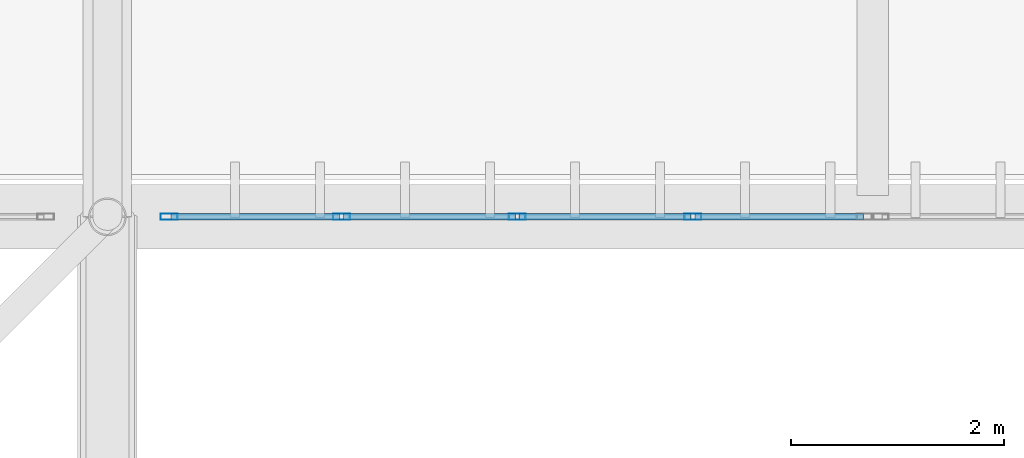
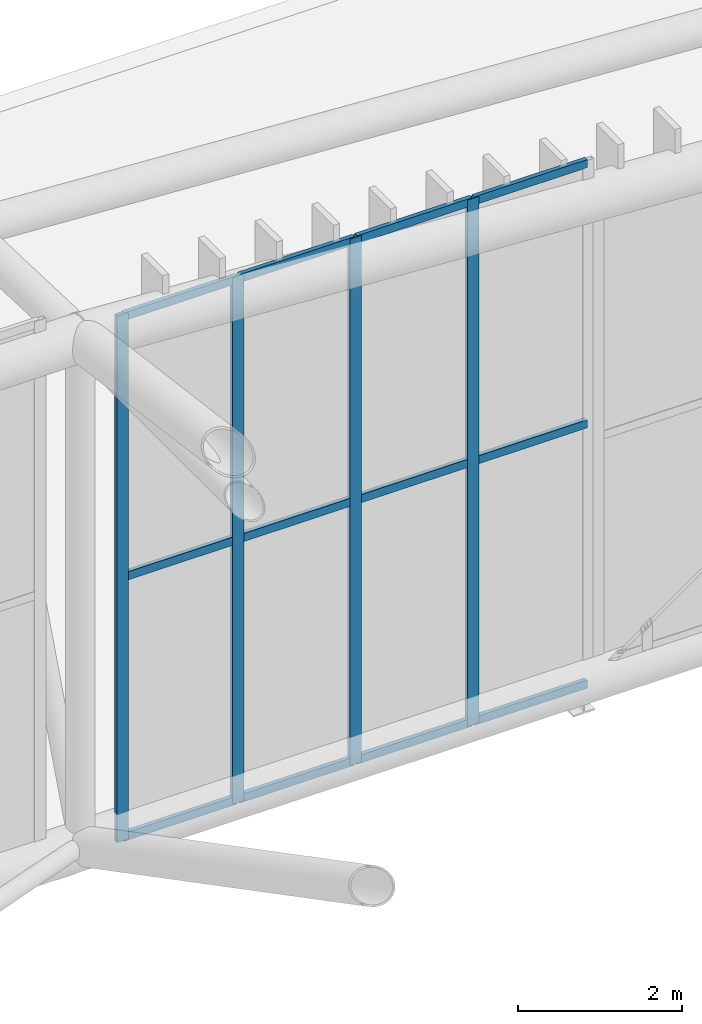
# One storey, part 325 of 397: 16 members, 1 element without a shape of its own.
"""IFC4 building model written with IfcOpenShell, lengths in metres."""

from ifc_helpers import new_model, si_unit, direction, frame, origin, origin_2d, place, context, subcontext, project, spatial, hollow_rectangle, extrude, material, material_profile, profile_set, type_object, element, aggregate, save


model = new_model("IFC4")

# Units and contexts
model_context = context("Model", 3, precision=1e-05, world=origin(), true_north=direction((0.0, 1.0)))
body_context = subcontext(model_context, "Body", "Model", "MODEL_VIEW")
ifc_project = project(units=[si_unit("LENGTHUNIT", "METRE"), si_unit("AREAUNIT", "SQUARE_METRE"), si_unit("VOLUMEUNIT", "CUBIC_METRE"), si_unit("PLANEANGLEUNIT", "RADIAN"), si_unit("MASSUNIT", "GRAM", prefix="KILO")], contexts=[model_context])

# Site, building, storey
site_placement = place(None, origin())
site = spatial("IfcSite", under=ifc_project, at=site_placement, CompositionType="ELEMENT")
building_placement = place(site_placement, origin())
building = spatial("IfcBuilding", under=site, at=building_placement, Name="Qandorah Velis Arena", CompositionType="ELEMENT")
storey_placement = place(building_placement, frame((0.0, 0.0, 27.5)))
storey = spatial("IfcBuildingStorey", under=building, at=storey_placement, Name="RF", CompositionType="ELEMENT", Elevation=27.5)

# Curtain wall, members
ifc_material_1 = material(Name="Solar-control low-E double glazing", Category="glass")
curtain_wall_type = type_object("IfcCurtainWallType", Name="ARC-CW-SYS05", PredefinedType="USERDEFINED", material=ifc_material_1)
curtain_wall_placement = place(storey_placement, origin())
curtain_wall = element("IfcCurtainWall", 1, at=curtain_wall_placement, inside=storey, type_object=curtain_wall_type, Name="Unitised curtain wall CROWN-4-05S1", ObjectType="UNITISED CURTAIN WALL", PredefinedType="USERDEFINED")
ifc_material_2 = material(Name="Champagne-bronze anodized aluminium 6063-T6", Category="aluminium")
ifc_material_profile_1 = material_profile(ifc_material_2, hollow_rectangle(XDim=0.06005859375, YDim=0.159912109375, WallThickness=0.00341796875, at=origin_2d()), Name="ALU MULLION 60x160")
ifc_profile_set_1 = profile_set([ifc_material_profile_1], Name="Champagne-bronze anodized aluminium 6063-T6")
member_type_1 = type_object("IfcMemberType", Name="ARC-CWM-160", PredefinedType="MULLION", material=ifc_profile_set_1)
member_1_placement = place(storey_placement, frame((72.580078125, 115.199951171875, -0.014892578125), z_axis=(0.0, 0.0, 1.0), x_axis=(0.0, 1.0, 0.0)))
member_1 = element("IfcMember", 2, at=member_1_placement, type_object=member_type_1, Name="CW05 mullion 1", PredefinedType="MULLION", context=body_context, shape_type="SweptSolid", body=[
    extrude(hollow_rectangle(XDim=0.06005859375, YDim=0.159912109375, WallThickness=0.00341796875, at=origin_2d()), origin(), (0.0, 0.0, 1.0), 7.826416015625),
])
member_2_placement = place(storey_placement, frame((74.202392578125, 115.199951171875, -0.014892578125), z_axis=(0.0, 0.0, 1.0), x_axis=(0.0, 1.0, 0.0)))
member_2 = element("IfcMember", 3, at=member_2_placement, type_object=member_type_1, Name="CW05 mullion 2", PredefinedType="MULLION", context=body_context, shape_type="SweptSolid", body=[
    extrude(hollow_rectangle(XDim=0.06005859375, YDim=0.159912109375, WallThickness=0.00341796875, at=origin_2d()), origin(), (0.0, 0.0, 1.0), 7.826416015625),
])
member_3_placement = place(storey_placement, frame((75.85498046875, 115.199951171875, -0.014892578125), z_axis=(0.0, 0.0, 1.0), x_axis=(0.0, 1.0, 0.0)))
member_3 = element("IfcMember", 4, at=member_3_placement, type_object=member_type_1, Name="CW05 mullion 3", PredefinedType="MULLION", context=body_context, shape_type="SweptSolid", body=[
    extrude(hollow_rectangle(XDim=0.06005859375, YDim=0.159912109375, WallThickness=0.00341796875, at=origin_2d()), origin(), (0.0, 0.0, 1.0), 7.826416015625),
])
member_4_placement = place(storey_placement, frame((77.507568359375, 115.199951171875, -0.014892578125), z_axis=(0.0, 0.0, 1.0), x_axis=(0.0, 1.0, 0.0)))
member_4 = element("IfcMember", 5, at=member_4_placement, type_object=member_type_1, Name="CW05 mullion 4", PredefinedType="MULLION", context=body_context, shape_type="SweptSolid", body=[
    extrude(hollow_rectangle(XDim=0.06005859375, YDim=0.159912109375, WallThickness=0.00341796875, at=origin_2d()), origin(), (0.0, 0.0, 1.0), 7.826416015625),
])
ifc_material_profile_2 = material_profile(ifc_material_2, hollow_rectangle(XDim=0.06005859375, YDim=0.1201171875, WallThickness=0.0029296875, at=origin_2d()), Name="ALU TRANSOM 60x120")
ifc_profile_set_2 = profile_set([ifc_material_profile_2], Name="Champagne-bronze anodized aluminium 6063-T6")
member_type_2 = type_object("IfcMemberType", Name="ARC-CWT-120", PredefinedType="USERDEFINED", material=ifc_profile_set_2)
member_5_placement = place(storey_placement, frame((72.597900390625, 115.199951171875, 0.030029296875), z_axis=(1.0, 0.0, 0.0), x_axis=(0.0, 1.0, 0.0)))
member_5 = element("IfcMember", 6, at=member_5_placement, type_object=member_type_2, Name="CW05 transom 1.1", ObjectType="TRANSOM", PredefinedType="USERDEFINED", context=body_context, shape_type="SweptSolid", body=[
    extrude(hollow_rectangle(XDim=0.06005859375, YDim=0.1201171875, WallThickness=0.0029296875, at=origin_2d()), origin(), (0.0, 0.0, 1.0), 1.586669921875),
])
member_6_placement = place(storey_placement, frame((72.597900390625, 115.199951171875, 3.898193359375), z_axis=(1.0, 0.0, 0.0), x_axis=(0.0, 1.0, 0.0)))
member_6 = element("IfcMember", 7, at=member_6_placement, type_object=member_type_2, Name="CW05 transom 1.2", ObjectType="TRANSOM", PredefinedType="USERDEFINED", context=body_context, shape_type="SweptSolid", body=[
    extrude(hollow_rectangle(XDim=0.06005859375, YDim=0.1201171875, WallThickness=0.0029296875, at=origin_2d()), origin(), (0.0, 0.0, 1.0), 1.586669921875),
])
member_7_placement = place(storey_placement, frame((72.597900390625, 115.199951171875, 7.7666015625), z_axis=(1.0, 0.0, 0.0), x_axis=(0.0, 1.0, 0.0)))
member_7 = element("IfcMember", 8, at=member_7_placement, type_object=member_type_2, Name="CW05 transom 1.3", ObjectType="TRANSOM", PredefinedType="USERDEFINED", context=body_context, shape_type="SweptSolid", body=[
    extrude(hollow_rectangle(XDim=0.06005859375, YDim=0.1201171875, WallThickness=0.0029296875, at=origin_2d()), origin(), (0.0, 0.0, 1.0), 1.586669921875),
])
member_8_placement = place(storey_placement, frame((74.220458984375, 115.199951171875, 0.030029296875), z_axis=(1.0, 0.0, 0.0), x_axis=(0.0, 1.0, 0.0)))
member_8 = element("IfcMember", 9, at=member_8_placement, type_object=member_type_2, Name="CW05 transom 2.1", ObjectType="TRANSOM", PredefinedType="USERDEFINED", context=body_context, shape_type="SweptSolid", body=[
    extrude(hollow_rectangle(XDim=0.06005859375, YDim=0.1201171875, WallThickness=0.0029296875, at=origin_2d()), origin(), (0.0, 0.0, 1.0), 1.616455078125),
])
member_9_placement = place(storey_placement, frame((74.220458984375, 115.199951171875, 3.898193359375), z_axis=(1.0, 0.0, 0.0), x_axis=(0.0, 1.0, 0.0)))
member_9 = element("IfcMember", 10, at=member_9_placement, type_object=member_type_2, Name="CW05 transom 2.2", ObjectType="TRANSOM", PredefinedType="USERDEFINED", context=body_context, shape_type="SweptSolid", body=[
    extrude(hollow_rectangle(XDim=0.06005859375, YDim=0.1201171875, WallThickness=0.0029296875, at=origin_2d()), origin(), (0.0, 0.0, 1.0), 1.616455078125),
])
member_10_placement = place(storey_placement, frame((74.220458984375, 115.199951171875, 7.7666015625), z_axis=(1.0, 0.0, 0.0), x_axis=(0.0, 1.0, 0.0)))
member_10 = element("IfcMember", 11, at=member_10_placement, type_object=member_type_2, Name="CW05 transom 2.3", ObjectType="TRANSOM", PredefinedType="USERDEFINED", context=body_context, shape_type="SweptSolid", body=[
    extrude(hollow_rectangle(XDim=0.06005859375, YDim=0.1201171875, WallThickness=0.0029296875, at=origin_2d()), origin(), (0.0, 0.0, 1.0), 1.616455078125),
])
member_11_placement = place(storey_placement, frame((75.873046875, 115.199951171875, 0.030029296875), z_axis=(1.0, 0.0, 0.0), x_axis=(0.0, 1.0, 0.0)))
member_11 = element("IfcMember", 12, at=member_11_placement, type_object=member_type_2, Name="CW05 transom 3.1", ObjectType="TRANSOM", PredefinedType="USERDEFINED", context=body_context, shape_type="SweptSolid", body=[
    extrude(hollow_rectangle(XDim=0.06005859375, YDim=0.1201171875, WallThickness=0.0029296875, at=origin_2d()), origin(), (0.0, 0.0, 1.0), 1.616455078125),
])
member_12_placement = place(storey_placement, frame((75.873046875, 115.199951171875, 3.898193359375), z_axis=(1.0, 0.0, 0.0), x_axis=(0.0, 1.0, 0.0)))
member_12 = element("IfcMember", 13, at=member_12_placement, type_object=member_type_2, Name="CW05 transom 3.2", ObjectType="TRANSOM", PredefinedType="USERDEFINED", context=body_context, shape_type="SweptSolid", body=[
    extrude(hollow_rectangle(XDim=0.06005859375, YDim=0.1201171875, WallThickness=0.0029296875, at=origin_2d()), origin(), (0.0, 0.0, 1.0), 1.616455078125),
])
member_13_placement = place(storey_placement, frame((75.873046875, 115.199951171875, 7.7666015625), z_axis=(1.0, 0.0, 0.0), x_axis=(0.0, 1.0, 0.0)))
member_13 = element("IfcMember", 14, at=member_13_placement, type_object=member_type_2, Name="CW05 transom 3.3", ObjectType="TRANSOM", PredefinedType="USERDEFINED", context=body_context, shape_type="SweptSolid", body=[
    extrude(hollow_rectangle(XDim=0.06005859375, YDim=0.1201171875, WallThickness=0.0029296875, at=origin_2d()), origin(), (0.0, 0.0, 1.0), 1.616455078125),
])
member_14_placement = place(storey_placement, frame((77.525390625, 115.199951171875, 0.030029296875), z_axis=(1.0, 0.0, 0.0), x_axis=(0.0, 1.0, 0.0)))
member_14 = element("IfcMember", 15, at=member_14_placement, type_object=member_type_2, Name="CW05 transom 4.1", ObjectType="TRANSOM", PredefinedType="USERDEFINED", context=body_context, shape_type="SweptSolid", body=[
    extrude(hollow_rectangle(XDim=0.06005859375, YDim=0.1201171875, WallThickness=0.0029296875, at=origin_2d()), origin(), (0.0, 0.0, 1.0), 1.586669921875),
])
member_15_placement = place(storey_placement, frame((77.525390625, 115.199951171875, 3.898193359375), z_axis=(1.0, 0.0, 0.0), x_axis=(0.0, 1.0, 0.0)))
member_15 = element("IfcMember", 16, at=member_15_placement, type_object=member_type_2, Name="CW05 transom 4.2", ObjectType="TRANSOM", PredefinedType="USERDEFINED", context=body_context, shape_type="SweptSolid", body=[
    extrude(hollow_rectangle(XDim=0.06005859375, YDim=0.1201171875, WallThickness=0.0029296875, at=origin_2d()), origin(), (0.0, 0.0, 1.0), 1.586669921875),
])
member_16_placement = place(storey_placement, frame((77.525390625, 115.199951171875, 7.7666015625), z_axis=(1.0, 0.0, 0.0), x_axis=(0.0, 1.0, 0.0)))
member_16 = element("IfcMember", 17, at=member_16_placement, type_object=member_type_2, Name="CW05 transom 4.3", ObjectType="TRANSOM", PredefinedType="USERDEFINED", context=body_context, shape_type="SweptSolid", body=[
    extrude(hollow_rectangle(XDim=0.06005859375, YDim=0.1201171875, WallThickness=0.0029296875, at=origin_2d()), origin(), (0.0, 0.0, 1.0), 1.586669921875),
])
aggregate(curtain_wall, [member_1, member_2, member_3, member_4, member_5, member_6, member_7, member_8, member_9, member_10, member_11, member_12, member_13, member_14, member_15, member_16])

save(model, "model.ifc")
